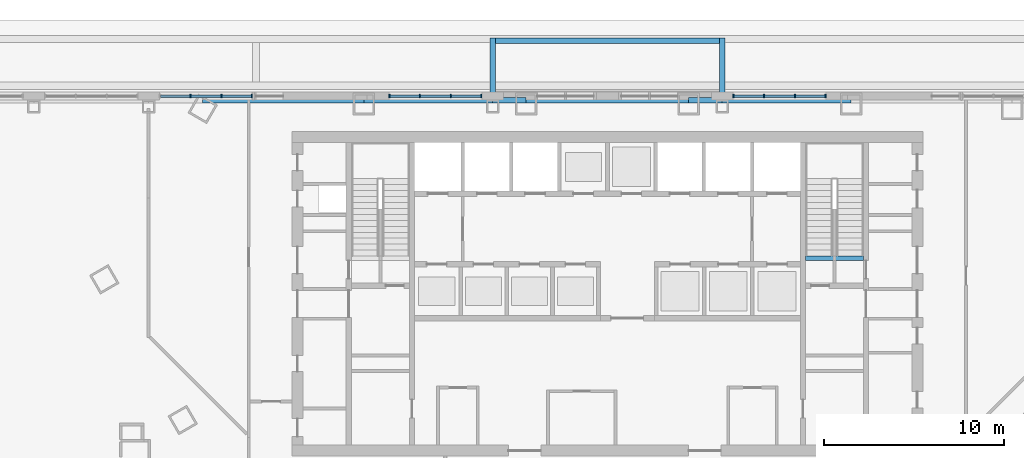
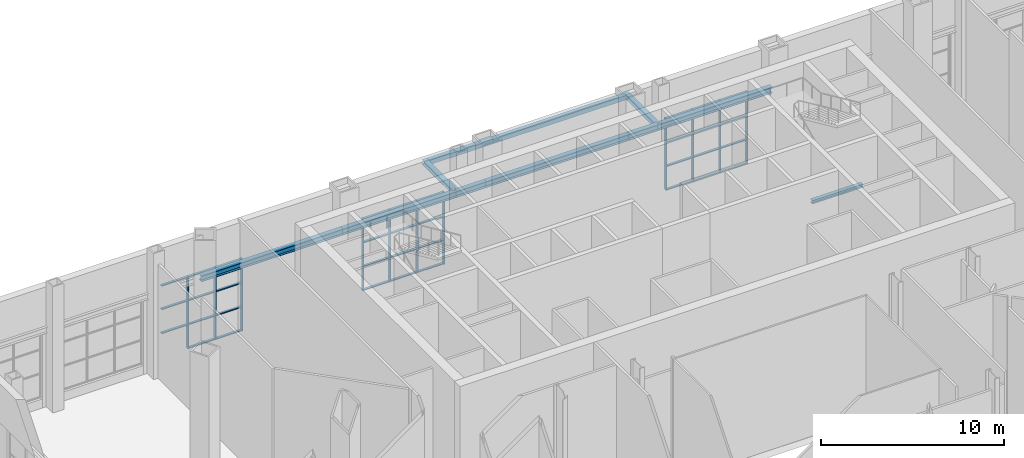
# One storey, part 9 of 34: 46 members, 10 beams, 3 elements without a shape of their own.
"""IFC4 building model written with IfcOpenShell, lengths in metres."""

from ifc_helpers import new_model, si_unit, direction, frame, origin, origin_2d, place, context, subcontext, project, spatial, rectangle, hollow_rectangle, i_section, extrude, material, layer, layer_set, material_profile, profile_set, type_object, element, aggregate, save


model = new_model("IFC4")

# Units and contexts
model_context = context("Model", 3, precision=1e-05, world=origin(), true_north=direction((0.0, 1.0)))
body_context = subcontext(model_context, "Body", "Model", "MODEL_VIEW")
ifc_project = project(units=[si_unit("LENGTHUNIT", "METRE"), si_unit("AREAUNIT", "SQUARE_METRE"), si_unit("VOLUMEUNIT", "CUBIC_METRE"), si_unit("PLANEANGLEUNIT", "RADIAN"), si_unit("MASSUNIT", "GRAM", prefix="KILO")], contexts=[model_context])

# Site, building, storey
site_placement = place(None, origin())
site = spatial("IfcSite", under=ifc_project, at=site_placement, CompositionType="ELEMENT")
building_placement = place(site_placement, origin())
building = spatial("IfcBuilding", under=site, at=building_placement, Name="Njiva Tower", CompositionType="ELEMENT")
storey_placement = place(building_placement, origin())
storey = spatial("IfcBuildingStorey", under=building, at=storey_placement, Name="L00", CompositionType="ELEMENT", Elevation=0.0)

# Beams
ifc_material_1 = material(Name="Steel S355 J2", Category="steel")
ifc_material_profile_1 = material_profile(ifc_material_1, i_section(OverallWidth=0.3, OverallDepth=0.29, WebThickness=0.0085, FlangeThickness=0.014, at=origin_2d()), Name="HEA300")
ifc_profile_set_1 = profile_set([ifc_material_profile_1], Name="Steel S355 J2")
beam_type_1 = type_object("IfcBeamType", Name="B90 Canopy cantilever beam HEA 300", PredefinedType="BEAM", material=ifc_profile_set_1)
for number, where, z_axis, x_axis, name in (
    (1, (6.3667, 19.75, 5.255), (0.0, 1.0, 0.0), (-1.0, 0.0, 0.0), "Canopy beam"),
    (2, (-6.3667, 19.75, 5.255), (0.0, 1.0, 0.0), (-1.0, 0.0, 0.0), "Canopy beam"),
):
    element("IfcBeam", number, at=place(storey_placement, frame(where, z_axis=z_axis, x_axis=x_axis)), inside=storey, type_object=beam_type_1, Name=name, PredefinedType="BEAM", context=body_context, shape_type="SweptSolid", body=[
        extrude(i_section(OverallWidth=0.3, OverallDepth=0.29, WebThickness=0.0085, FlangeThickness=0.014, at=origin_2d()), origin(), (0.0, 0.0, 1.0), 3.45),
    ])
ifc_material_2 = material(Name="Steel S355 J2H", Category="steel")
ifc_material_profile_2 = material_profile(ifc_material_2, hollow_rectangle(XDim=0.3, YDim=0.29, WallThickness=0.01, at=origin_2d()), Name="BOX 290x300x10")
ifc_profile_set_2 = profile_set([ifc_material_profile_2], Name="Steel S355 J2H")
beam_type_2 = type_object("IfcBeamType", Name="B91 Canopy tip beam RHS 290x300x10", PredefinedType="BEAM", material=ifc_profile_set_2)
beam_1_placement = place(storey_placement, frame((6.3667, 23.05, 5.255), z_axis=(-1.0, 0.0, 0.0), x_axis=(0.0, -1.0, 0.0)))
element("IfcBeam", 3, at=beam_1_placement, inside=storey, type_object=beam_type_2, Name="Canopy tip beam", PredefinedType="BEAM", context=body_context, shape_type="SweptSolid", body=[
    extrude(hollow_rectangle(XDim=0.3, YDim=0.29, WallThickness=0.01, at=origin_2d()), origin(), (0.0, 0.0, 1.0), 12.7334),
])
ifc_material_profile_3 = material_profile(ifc_material_1, i_section(OverallWidth=0.3, OverallDepth=0.4, WebThickness=0.0135, FlangeThickness=0.024, at=origin_2d()), Name="HEB400")
ifc_profile_set_3 = profile_set([ifc_material_profile_3], Name="Steel S355 J2")
beam_type_3 = type_object("IfcBeamType", Name="B92 Podium lintel beam HEB 400", PredefinedType="BEAM", material=ifc_profile_set_3)
beam_2_placement = place(storey_placement, frame((13.523, 19.75, 5.2), z_axis=(-1.0, 0.0, 0.0), x_axis=(0.0, -1.0, 0.0)))
element("IfcBeam", 4, at=beam_2_placement, inside=storey, type_object=beam_type_3, Name="Podium lintel beam", PredefinedType="BEAM", context=body_context, shape_type="SweptSolid", body=[
    extrude(i_section(OverallWidth=0.3, OverallDepth=0.4, WebThickness=0.0135, FlangeThickness=0.024, at=origin_2d()), origin(), (0.0, 0.0, 1.0), 7.156),
])
beam_3_placement = place(storey_placement, frame((6.367, 19.75, 5.2), z_axis=(-1.0, 0.0, 0.0), x_axis=(0.0, -1.0, 0.0)))
element("IfcBeam", 5, at=beam_3_placement, inside=storey, type_object=beam_type_3, Name="Podium lintel beam", PredefinedType="BEAM", context=body_context, shape_type="SweptSolid", body=[
    extrude(i_section(OverallWidth=0.3, OverallDepth=0.4, WebThickness=0.0135, FlangeThickness=0.024, at=origin_2d()), origin(), (0.0, 0.0, 1.0), 1.859),
])
beam_4_placement = place(storey_placement, frame((4.508, 19.75, 5.2), z_axis=(-1.0, 0.0, 0.0), x_axis=(0.0, -1.0, 0.0)))
element("IfcBeam", 6, at=beam_4_placement, inside=storey, type_object=beam_type_3, Name="Podium lintel beam", PredefinedType="BEAM", context=body_context, shape_type="SweptSolid", body=[
    extrude(i_section(OverallWidth=0.3, OverallDepth=0.4, WebThickness=0.0135, FlangeThickness=0.024, at=origin_2d()), origin(), (0.0, 0.0, 1.0), 9.016),
])
beam_5_placement = place(storey_placement, frame((-4.508, 19.75, 5.2), z_axis=(-1.0, 0.0, 0.0), x_axis=(0.0, -1.0, 0.0)))
element("IfcBeam", 7, at=beam_5_placement, inside=storey, type_object=beam_type_3, Name="Podium lintel beam", PredefinedType="BEAM", context=body_context, shape_type="SweptSolid", body=[
    extrude(i_section(OverallWidth=0.3, OverallDepth=0.4, WebThickness=0.0135, FlangeThickness=0.024, at=origin_2d()), origin(), (0.0, 0.0, 1.0), 1.859),
])
beam_6_placement = place(storey_placement, frame((-6.367, 19.75, 5.2), z_axis=(-1.0, 0.0, 0.0), x_axis=(0.0, -1.0, 0.0)))
element("IfcBeam", 8, at=beam_6_placement, inside=storey, type_object=beam_type_3, Name="Podium lintel beam", PredefinedType="BEAM", context=body_context, shape_type="SweptSolid", body=[
    extrude(i_section(OverallWidth=0.3, OverallDepth=0.4, WebThickness=0.0135, FlangeThickness=0.024, at=origin_2d()), origin(), (0.0, 0.0, 1.0), 7.156),
])
beam_7_placement = place(storey_placement, frame((-13.523, 19.75, 5.2), z_axis=(-1.0, 0.0, 0.0), x_axis=(0.0, -1.0, 0.0)))
element("IfcBeam", 9, at=beam_7_placement, inside=storey, type_object=beam_type_3, Name="Podium lintel beam", PredefinedType="BEAM", context=body_context, shape_type="SweptSolid", body=[
    extrude(i_section(OverallWidth=0.3, OverallDepth=0.4, WebThickness=0.0135, FlangeThickness=0.024, at=origin_2d()), origin(), (0.0, 0.0, 1.0), 8.938),
])

# Curtain wall, members
ifc_material_3 = material(Name="Glazed curtain wall", Category="glass")
ifc_layer = layer(ifc_material_3, 0.2)
ifc_layer_set = layer_set([ifc_layer], Name="Glazed curtain wall")
curtain_wall_type = type_object("IfcCurtainWallType", Name="CW1 Shopfront glazing", PredefinedType="NOTDEFINED", material=ifc_layer_set)
curtain_wall_1_placement = place(storey_placement, origin())
curtain_wall_1 = element("IfcCurtainWall", 10, at=curtain_wall_1_placement, inside=storey, type_object=curtain_wall_type, Name="Shopfront N5", PredefinedType="NOTDEFINED")
ifc_material_4 = material(Name="Aluminium mullion", Category="aluminium")
ifc_material_profile_4 = material_profile(ifc_material_4, rectangle(XDim=0.2, YDim=0.065, at=origin_2d()), Name="RECT 200x65")
ifc_profile_set_4 = profile_set([ifc_material_profile_4], Name="Aluminium mullion")
member_type_1 = type_object("IfcMemberType", Name="CW1-M Shopfront mullion 200x65", PredefinedType="MULLION", material=ifc_profile_set_4)
member_1_placement = place(storey_placement, frame((12.1008, 19.975, 0.6), z_axis=(0.0, 0.0, 1.0), x_axis=(0.0, -1.0, 0.0)))
member_1 = element("IfcMember", 11, at=member_1_placement, type_object=member_type_1, Name="CW1-N5 mullion 1", PredefinedType="MULLION", context=body_context, shape_type="SweptSolid", body=[
    extrude(rectangle(XDim=0.2, YDim=0.065, at=origin_2d()), origin(), (0.0, 0.0, 1.0), 4.8),
])
member_2_placement = place(storey_placement, frame((10.4111, 19.975, 0.6), z_axis=(0.0, 0.0, 1.0), x_axis=(0.0, -1.0, 0.0)))
member_2 = element("IfcMember", 12, at=member_2_placement, type_object=member_type_1, Name="CW1-N5 mullion 2", PredefinedType="MULLION", context=body_context, shape_type="SweptSolid", body=[
    extrude(rectangle(XDim=0.2, YDim=0.065, at=origin_2d()), origin(), (0.0, 0.0, 1.0), 4.8),
])
member_3_placement = place(storey_placement, frame((8.6889, 19.975, 0.6), z_axis=(0.0, 0.0, 1.0), x_axis=(0.0, -1.0, 0.0)))
member_3 = element("IfcMember", 13, at=member_3_placement, type_object=member_type_1, Name="CW1-N5 mullion 3", PredefinedType="MULLION", context=body_context, shape_type="SweptSolid", body=[
    extrude(rectangle(XDim=0.2, YDim=0.065, at=origin_2d()), origin(), (0.0, 0.0, 1.0), 4.8),
])
member_4_placement = place(storey_placement, frame((6.9992, 19.975, 0.6), z_axis=(0.0, 0.0, 1.0), x_axis=(0.0, -1.0, 0.0)))
member_4 = element("IfcMember", 14, at=member_4_placement, type_object=member_type_1, Name="CW1-N5 mullion 4", PredefinedType="MULLION", context=body_context, shape_type="SweptSolid", body=[
    extrude(rectangle(XDim=0.2, YDim=0.065, at=origin_2d()), origin(), (0.0, 0.0, 1.0), 4.8),
])

curtain_wall_2_placement = place(storey_placement, origin())
curtain_wall_2 = element("IfcCurtainWall", 15, at=curtain_wall_2_placement, inside=storey, type_object=curtain_wall_type, Name="Shopfront N8", PredefinedType="NOTDEFINED")
member_5_placement = place(storey_placement, frame((-6.9992, 19.975, 0.6), z_axis=(0.0, 0.0, 1.0), x_axis=(0.0, -1.0, 0.0)))
member_5 = element("IfcMember", 16, at=member_5_placement, type_object=member_type_1, Name="CW1-N8 mullion 1", PredefinedType="MULLION", context=body_context, shape_type="SweptSolid", body=[
    extrude(rectangle(XDim=0.2, YDim=0.065, at=origin_2d()), origin(), (0.0, 0.0, 1.0), 4.8),
])
member_6_placement = place(storey_placement, frame((-8.6889, 19.975, 0.6), z_axis=(0.0, 0.0, 1.0), x_axis=(0.0, -1.0, 0.0)))
member_6 = element("IfcMember", 17, at=member_6_placement, type_object=member_type_1, Name="CW1-N8 mullion 2", PredefinedType="MULLION", context=body_context, shape_type="SweptSolid", body=[
    extrude(rectangle(XDim=0.2, YDim=0.065, at=origin_2d()), origin(), (0.0, 0.0, 1.0), 4.8),
])
member_7_placement = place(storey_placement, frame((-10.4111, 19.975, 0.6), z_axis=(0.0, 0.0, 1.0), x_axis=(0.0, -1.0, 0.0)))
member_7 = element("IfcMember", 18, at=member_7_placement, type_object=member_type_1, Name="CW1-N8 mullion 3", PredefinedType="MULLION", context=body_context, shape_type="SweptSolid", body=[
    extrude(rectangle(XDim=0.2, YDim=0.065, at=origin_2d()), origin(), (0.0, 0.0, 1.0), 4.8),
])
member_8_placement = place(storey_placement, frame((-12.1008, 19.975, 0.6), z_axis=(0.0, 0.0, 1.0), x_axis=(0.0, -1.0, 0.0)))
member_8 = element("IfcMember", 19, at=member_8_placement, type_object=member_type_1, Name="CW1-N8 mullion 4", PredefinedType="MULLION", context=body_context, shape_type="SweptSolid", body=[
    extrude(rectangle(XDim=0.2, YDim=0.065, at=origin_2d()), origin(), (0.0, 0.0, 1.0), 4.8),
])

curtain_wall_3_placement = place(storey_placement, origin())
curtain_wall_3 = element("IfcCurtainWall", 20, at=curtain_wall_3_placement, inside=storey, type_object=curtain_wall_type, Name="Shopfront N10", PredefinedType="NOTDEFINED")
member_9_placement = place(storey_placement, frame((-19.7325, 19.975, 0.6), z_axis=(0.0, 0.0, 1.0), x_axis=(0.0, -1.0, 0.0)))
member_9 = element("IfcMember", 21, at=member_9_placement, type_object=member_type_1, Name="CW1-N10 mullion 1", PredefinedType="MULLION", context=body_context, shape_type="SweptSolid", body=[
    extrude(rectangle(XDim=0.2, YDim=0.065, at=origin_2d()), origin(), (0.0, 0.0, 1.0), 4.8),
])
member_10_placement = place(storey_placement, frame((-21.4222, 19.975, 0.6), z_axis=(0.0, 0.0, 1.0), x_axis=(0.0, -1.0, 0.0)))
member_10 = element("IfcMember", 22, at=member_10_placement, type_object=member_type_1, Name="CW1-N10 mullion 2", PredefinedType="MULLION", context=body_context, shape_type="SweptSolid", body=[
    extrude(rectangle(XDim=0.2, YDim=0.065, at=origin_2d()), origin(), (0.0, 0.0, 1.0), 4.8),
])
member_11_placement = place(storey_placement, frame((-23.1445, 19.975, 0.6), z_axis=(0.0, 0.0, 1.0), x_axis=(0.0, -1.0, 0.0)))
member_11 = element("IfcMember", 23, at=member_11_placement, type_object=member_type_1, Name="CW1-N10 mullion 3", PredefinedType="MULLION", context=body_context, shape_type="SweptSolid", body=[
    extrude(rectangle(XDim=0.2, YDim=0.065, at=origin_2d()), origin(), (0.0, 0.0, 1.0), 4.8),
])

# Member
ifc_material_5 = material(Name="Aluminium transom", Category="aluminium")
ifc_material_profile_5 = material_profile(ifc_material_5, rectangle(XDim=0.15, YDim=0.065, at=origin_2d()), Name="RECT 150x65")
ifc_profile_set_5 = profile_set([ifc_material_profile_5], Name="Aluminium transom")
member_type_2 = type_object("IfcMemberType", Name="CW1-T Shopfront transom 150x65", PredefinedType="USERDEFINED", material=ifc_profile_set_5)
member_12_placement = place(storey_placement, frame((12.0683, 19.975, 0.6325), z_axis=(-1.0, 0.0, 0.0), x_axis=(0.0, -1.0, 0.0)))
member_12 = element("IfcMember", 24, at=member_12_placement, type_object=member_type_2, Name="CW1-N5 transom 1.1", ObjectType="TRANSOM", PredefinedType="USERDEFINED", context=body_context, shape_type="SweptSolid", body=[
    extrude(rectangle(XDim=0.15, YDim=0.065, at=origin_2d()), origin(), (0.0, 0.0, 1.0), 1.6247),
])

member_13_placement = place(storey_placement, frame((12.0683, 19.975, 2.2), z_axis=(-1.0, 0.0, 0.0), x_axis=(0.0, -1.0, 0.0)))
member_13 = element("IfcMember", 25, at=member_13_placement, type_object=member_type_2, Name="CW1-N5 transom 1.2", ObjectType="TRANSOM", PredefinedType="USERDEFINED", context=body_context, shape_type="SweptSolid", body=[
    extrude(rectangle(XDim=0.15, YDim=0.065, at=origin_2d()), origin(), (0.0, 0.0, 1.0), 1.6247),
])

member_14_placement = place(storey_placement, frame((12.0683, 19.975, 3.8), z_axis=(-1.0, 0.0, 0.0), x_axis=(0.0, -1.0, 0.0)))
member_14 = element("IfcMember", 26, at=member_14_placement, type_object=member_type_2, Name="CW1-N5 transom 1.3", ObjectType="TRANSOM", PredefinedType="USERDEFINED", context=body_context, shape_type="SweptSolid", body=[
    extrude(rectangle(XDim=0.15, YDim=0.065, at=origin_2d()), origin(), (0.0, 0.0, 1.0), 1.6247),
])

member_15_placement = place(storey_placement, frame((12.0683, 19.975, 5.3675), z_axis=(-1.0, 0.0, 0.0), x_axis=(0.0, -1.0, 0.0)))
member_15 = element("IfcMember", 27, at=member_15_placement, type_object=member_type_2, Name="CW1-N5 transom 1.4", ObjectType="TRANSOM", PredefinedType="USERDEFINED", context=body_context, shape_type="SweptSolid", body=[
    extrude(rectangle(XDim=0.15, YDim=0.065, at=origin_2d()), origin(), (0.0, 0.0, 1.0), 1.6247),
])

member_16_placement = place(storey_placement, frame((10.3786, 19.975, 0.6325), z_axis=(-1.0, 0.0, 0.0), x_axis=(0.0, -1.0, 0.0)))
member_16 = element("IfcMember", 28, at=member_16_placement, type_object=member_type_2, Name="CW1-N5 transom 2.1", ObjectType="TRANSOM", PredefinedType="USERDEFINED", context=body_context, shape_type="SweptSolid", body=[
    extrude(rectangle(XDim=0.15, YDim=0.065, at=origin_2d()), origin(), (0.0, 0.0, 1.0), 1.6572),
])

member_17_placement = place(storey_placement, frame((10.3786, 19.975, 2.2), z_axis=(-1.0, 0.0, 0.0), x_axis=(0.0, -1.0, 0.0)))
member_17 = element("IfcMember", 29, at=member_17_placement, type_object=member_type_2, Name="CW1-N5 transom 2.2", ObjectType="TRANSOM", PredefinedType="USERDEFINED", context=body_context, shape_type="SweptSolid", body=[
    extrude(rectangle(XDim=0.15, YDim=0.065, at=origin_2d()), origin(), (0.0, 0.0, 1.0), 1.6572),
])

member_18_placement = place(storey_placement, frame((10.3786, 19.975, 3.8), z_axis=(-1.0, 0.0, 0.0), x_axis=(0.0, -1.0, 0.0)))
member_18 = element("IfcMember", 30, at=member_18_placement, type_object=member_type_2, Name="CW1-N5 transom 2.3", ObjectType="TRANSOM", PredefinedType="USERDEFINED", context=body_context, shape_type="SweptSolid", body=[
    extrude(rectangle(XDim=0.15, YDim=0.065, at=origin_2d()), origin(), (0.0, 0.0, 1.0), 1.6572),
])

member_19_placement = place(storey_placement, frame((10.3786, 19.975, 5.3675), z_axis=(-1.0, 0.0, 0.0), x_axis=(0.0, -1.0, 0.0)))
member_19 = element("IfcMember", 31, at=member_19_placement, type_object=member_type_2, Name="CW1-N5 transom 2.4", ObjectType="TRANSOM", PredefinedType="USERDEFINED", context=body_context, shape_type="SweptSolid", body=[
    extrude(rectangle(XDim=0.15, YDim=0.065, at=origin_2d()), origin(), (0.0, 0.0, 1.0), 1.6572),
])

member_20_placement = place(storey_placement, frame((8.6564, 19.975, 0.6325), z_axis=(-1.0, 0.0, 0.0), x_axis=(0.0, -1.0, 0.0)))
member_20 = element("IfcMember", 32, at=member_20_placement, type_object=member_type_2, Name="CW1-N5 transom 3.1", ObjectType="TRANSOM", PredefinedType="USERDEFINED", context=body_context, shape_type="SweptSolid", body=[
    extrude(rectangle(XDim=0.15, YDim=0.065, at=origin_2d()), origin(), (0.0, 0.0, 1.0), 1.6247),
])

member_21_placement = place(storey_placement, frame((8.6564, 19.975, 2.2), z_axis=(-1.0, 0.0, 0.0), x_axis=(0.0, -1.0, 0.0)))
member_21 = element("IfcMember", 33, at=member_21_placement, type_object=member_type_2, Name="CW1-N5 transom 3.2", ObjectType="TRANSOM", PredefinedType="USERDEFINED", context=body_context, shape_type="SweptSolid", body=[
    extrude(rectangle(XDim=0.15, YDim=0.065, at=origin_2d()), origin(), (0.0, 0.0, 1.0), 1.6247),
])

member_22_placement = place(storey_placement, frame((8.6564, 19.975, 3.8), z_axis=(-1.0, 0.0, 0.0), x_axis=(0.0, -1.0, 0.0)))
member_22 = element("IfcMember", 34, at=member_22_placement, type_object=member_type_2, Name="CW1-N5 transom 3.3", ObjectType="TRANSOM", PredefinedType="USERDEFINED", context=body_context, shape_type="SweptSolid", body=[
    extrude(rectangle(XDim=0.15, YDim=0.065, at=origin_2d()), origin(), (0.0, 0.0, 1.0), 1.6247),
])

member_23_placement = place(storey_placement, frame((8.6564, 19.975, 5.3675), z_axis=(-1.0, 0.0, 0.0), x_axis=(0.0, -1.0, 0.0)))
member_23 = element("IfcMember", 35, at=member_23_placement, type_object=member_type_2, Name="CW1-N5 transom 3.4", ObjectType="TRANSOM", PredefinedType="USERDEFINED", context=body_context, shape_type="SweptSolid", body=[
    extrude(rectangle(XDim=0.15, YDim=0.065, at=origin_2d()), origin(), (0.0, 0.0, 1.0), 1.6247),
])

aggregate(curtain_wall_1, [member_1, member_2, member_3, member_4, member_12, member_13, member_14, member_15, member_16, member_17, member_18, member_19, member_20, member_21, member_22, member_23])

member_24_placement = place(storey_placement, frame((-7.0317, 19.975, 0.6325), z_axis=(-1.0, 0.0, 0.0), x_axis=(0.0, -1.0, 0.0)))
member_24 = element("IfcMember", 36, at=member_24_placement, type_object=member_type_2, Name="CW1-N8 transom 1.1", ObjectType="TRANSOM", PredefinedType="USERDEFINED", context=body_context, shape_type="SweptSolid", body=[
    extrude(rectangle(XDim=0.15, YDim=0.065, at=origin_2d()), origin(), (0.0, 0.0, 1.0), 1.6247),
])

member_25_placement = place(storey_placement, frame((-7.0317, 19.975, 2.2), z_axis=(-1.0, 0.0, 0.0), x_axis=(0.0, -1.0, 0.0)))
member_25 = element("IfcMember", 37, at=member_25_placement, type_object=member_type_2, Name="CW1-N8 transom 1.2", ObjectType="TRANSOM", PredefinedType="USERDEFINED", context=body_context, shape_type="SweptSolid", body=[
    extrude(rectangle(XDim=0.15, YDim=0.065, at=origin_2d()), origin(), (0.0, 0.0, 1.0), 1.6247),
])

member_26_placement = place(storey_placement, frame((-7.0317, 19.975, 3.8), z_axis=(-1.0, 0.0, 0.0), x_axis=(0.0, -1.0, 0.0)))
member_26 = element("IfcMember", 38, at=member_26_placement, type_object=member_type_2, Name="CW1-N8 transom 1.3", ObjectType="TRANSOM", PredefinedType="USERDEFINED", context=body_context, shape_type="SweptSolid", body=[
    extrude(rectangle(XDim=0.15, YDim=0.065, at=origin_2d()), origin(), (0.0, 0.0, 1.0), 1.6247),
])

member_27_placement = place(storey_placement, frame((-7.0317, 19.975, 5.3675), z_axis=(-1.0, 0.0, 0.0), x_axis=(0.0, -1.0, 0.0)))
member_27 = element("IfcMember", 39, at=member_27_placement, type_object=member_type_2, Name="CW1-N8 transom 1.4", ObjectType="TRANSOM", PredefinedType="USERDEFINED", context=body_context, shape_type="SweptSolid", body=[
    extrude(rectangle(XDim=0.15, YDim=0.065, at=origin_2d()), origin(), (0.0, 0.0, 1.0), 1.6247),
])

member_28_placement = place(storey_placement, frame((-8.7214, 19.975, 0.6325), z_axis=(-1.0, 0.0, 0.0), x_axis=(0.0, -1.0, 0.0)))
member_28 = element("IfcMember", 40, at=member_28_placement, type_object=member_type_2, Name="CW1-N8 transom 2.1", ObjectType="TRANSOM", PredefinedType="USERDEFINED", context=body_context, shape_type="SweptSolid", body=[
    extrude(rectangle(XDim=0.15, YDim=0.065, at=origin_2d()), origin(), (0.0, 0.0, 1.0), 1.6572),
])

member_29_placement = place(storey_placement, frame((-8.7214, 19.975, 2.2), z_axis=(-1.0, 0.0, 0.0), x_axis=(0.0, -1.0, 0.0)))
member_29 = element("IfcMember", 41, at=member_29_placement, type_object=member_type_2, Name="CW1-N8 transom 2.2", ObjectType="TRANSOM", PredefinedType="USERDEFINED", context=body_context, shape_type="SweptSolid", body=[
    extrude(rectangle(XDim=0.15, YDim=0.065, at=origin_2d()), origin(), (0.0, 0.0, 1.0), 1.6572),
])

member_30_placement = place(storey_placement, frame((-8.7214, 19.975, 3.8), z_axis=(-1.0, 0.0, 0.0), x_axis=(0.0, -1.0, 0.0)))
member_30 = element("IfcMember", 42, at=member_30_placement, type_object=member_type_2, Name="CW1-N8 transom 2.3", ObjectType="TRANSOM", PredefinedType="USERDEFINED", context=body_context, shape_type="SweptSolid", body=[
    extrude(rectangle(XDim=0.15, YDim=0.065, at=origin_2d()), origin(), (0.0, 0.0, 1.0), 1.6572),
])

member_31_placement = place(storey_placement, frame((-8.7214, 19.975, 5.3675), z_axis=(-1.0, 0.0, 0.0), x_axis=(0.0, -1.0, 0.0)))
member_31 = element("IfcMember", 43, at=member_31_placement, type_object=member_type_2, Name="CW1-N8 transom 2.4", ObjectType="TRANSOM", PredefinedType="USERDEFINED", context=body_context, shape_type="SweptSolid", body=[
    extrude(rectangle(XDim=0.15, YDim=0.065, at=origin_2d()), origin(), (0.0, 0.0, 1.0), 1.6572),
])

member_32_placement = place(storey_placement, frame((-10.4436, 19.975, 0.6325), z_axis=(-1.0, 0.0, 0.0), x_axis=(0.0, -1.0, 0.0)))
member_32 = element("IfcMember", 44, at=member_32_placement, type_object=member_type_2, Name="CW1-N8 transom 3.1", ObjectType="TRANSOM", PredefinedType="USERDEFINED", context=body_context, shape_type="SweptSolid", body=[
    extrude(rectangle(XDim=0.15, YDim=0.065, at=origin_2d()), origin(), (0.0, 0.0, 1.0), 1.6247),
])

member_33_placement = place(storey_placement, frame((-10.4436, 19.975, 2.2), z_axis=(-1.0, 0.0, 0.0), x_axis=(0.0, -1.0, 0.0)))
member_33 = element("IfcMember", 45, at=member_33_placement, type_object=member_type_2, Name="CW1-N8 transom 3.2", ObjectType="TRANSOM", PredefinedType="USERDEFINED", context=body_context, shape_type="SweptSolid", body=[
    extrude(rectangle(XDim=0.15, YDim=0.065, at=origin_2d()), origin(), (0.0, 0.0, 1.0), 1.6247),
])

member_34_placement = place(storey_placement, frame((-10.4436, 19.975, 3.8), z_axis=(-1.0, 0.0, 0.0), x_axis=(0.0, -1.0, 0.0)))
member_34 = element("IfcMember", 46, at=member_34_placement, type_object=member_type_2, Name="CW1-N8 transom 3.3", ObjectType="TRANSOM", PredefinedType="USERDEFINED", context=body_context, shape_type="SweptSolid", body=[
    extrude(rectangle(XDim=0.15, YDim=0.065, at=origin_2d()), origin(), (0.0, 0.0, 1.0), 1.6247),
])

member_35_placement = place(storey_placement, frame((-10.4436, 19.975, 5.3675), z_axis=(-1.0, 0.0, 0.0), x_axis=(0.0, -1.0, 0.0)))
member_35 = element("IfcMember", 47, at=member_35_placement, type_object=member_type_2, Name="CW1-N8 transom 3.4", ObjectType="TRANSOM", PredefinedType="USERDEFINED", context=body_context, shape_type="SweptSolid", body=[
    extrude(rectangle(XDim=0.15, YDim=0.065, at=origin_2d()), origin(), (0.0, 0.0, 1.0), 1.6247),
])

aggregate(curtain_wall_2, [member_5, member_6, member_7, member_8, member_24, member_25, member_26, member_27, member_28, member_29, member_30, member_31, member_32, member_33, member_34, member_35])

member_36_placement = place(storey_placement, frame((-19.765, 19.975, 0.6325), z_axis=(-1.0, 0.0, 0.0), x_axis=(0.0, -1.0, 0.0)))
member_36 = element("IfcMember", 48, at=member_36_placement, type_object=member_type_2, Name="CW1-N10 transom 1.1", ObjectType="TRANSOM", PredefinedType="USERDEFINED", context=body_context, shape_type="SweptSolid", body=[
    extrude(rectangle(XDim=0.15, YDim=0.065, at=origin_2d()), origin(), (0.0, 0.0, 1.0), 1.6247),
])

member_37_placement = place(storey_placement, frame((-19.765, 19.975, 2.2), z_axis=(-1.0, 0.0, 0.0), x_axis=(0.0, -1.0, 0.0)))
member_37 = element("IfcMember", 49, at=member_37_placement, type_object=member_type_2, Name="CW1-N10 transom 1.2", ObjectType="TRANSOM", PredefinedType="USERDEFINED", context=body_context, shape_type="SweptSolid", body=[
    extrude(rectangle(XDim=0.15, YDim=0.065, at=origin_2d()), origin(), (0.0, 0.0, 1.0), 1.6247),
])

member_38_placement = place(storey_placement, frame((-19.765, 19.975, 3.8), z_axis=(-1.0, 0.0, 0.0), x_axis=(0.0, -1.0, 0.0)))
member_38 = element("IfcMember", 50, at=member_38_placement, type_object=member_type_2, Name="CW1-N10 transom 1.3", ObjectType="TRANSOM", PredefinedType="USERDEFINED", context=body_context, shape_type="SweptSolid", body=[
    extrude(rectangle(XDim=0.15, YDim=0.065, at=origin_2d()), origin(), (0.0, 0.0, 1.0), 1.6247),
])

member_39_placement = place(storey_placement, frame((-19.765, 19.975, 5.3675), z_axis=(-1.0, 0.0, 0.0), x_axis=(0.0, -1.0, 0.0)))
member_39 = element("IfcMember", 51, at=member_39_placement, type_object=member_type_2, Name="CW1-N10 transom 1.4", ObjectType="TRANSOM", PredefinedType="USERDEFINED", context=body_context, shape_type="SweptSolid", body=[
    extrude(rectangle(XDim=0.15, YDim=0.065, at=origin_2d()), origin(), (0.0, 0.0, 1.0), 1.6247),
])

member_40_placement = place(storey_placement, frame((-21.4547, 19.975, 0.6325), z_axis=(-1.0, 0.0, 0.0), x_axis=(0.0, -1.0, 0.0)))
member_40 = element("IfcMember", 52, at=member_40_placement, type_object=member_type_2, Name="CW1-N10 transom 2.1", ObjectType="TRANSOM", PredefinedType="USERDEFINED", context=body_context, shape_type="SweptSolid", body=[
    extrude(rectangle(XDim=0.15, YDim=0.065, at=origin_2d()), origin(), (0.0, 0.0, 1.0), 1.6573),
])

member_41_placement = place(storey_placement, frame((-21.4547, 19.975, 2.2), z_axis=(-1.0, 0.0, 0.0), x_axis=(0.0, -1.0, 0.0)))
member_41 = element("IfcMember", 53, at=member_41_placement, type_object=member_type_2, Name="CW1-N10 transom 2.2", ObjectType="TRANSOM", PredefinedType="USERDEFINED", context=body_context, shape_type="SweptSolid", body=[
    extrude(rectangle(XDim=0.15, YDim=0.065, at=origin_2d()), origin(), (0.0, 0.0, 1.0), 1.6573),
])

member_42_placement = place(storey_placement, frame((-21.4547, 19.975, 3.8), z_axis=(-1.0, 0.0, 0.0), x_axis=(0.0, -1.0, 0.0)))
member_42 = element("IfcMember", 54, at=member_42_placement, type_object=member_type_2, Name="CW1-N10 transom 2.3", ObjectType="TRANSOM", PredefinedType="USERDEFINED", context=body_context, shape_type="SweptSolid", body=[
    extrude(rectangle(XDim=0.15, YDim=0.065, at=origin_2d()), origin(), (0.0, 0.0, 1.0), 1.6573),
])

member_43_placement = place(storey_placement, frame((-21.4547, 19.975, 5.3675), z_axis=(-1.0, 0.0, 0.0), x_axis=(0.0, -1.0, 0.0)))
member_43 = element("IfcMember", 55, at=member_43_placement, type_object=member_type_2, Name="CW1-N10 transom 2.4", ObjectType="TRANSOM", PredefinedType="USERDEFINED", context=body_context, shape_type="SweptSolid", body=[
    extrude(rectangle(XDim=0.15, YDim=0.065, at=origin_2d()), origin(), (0.0, 0.0, 1.0), 1.6573),
])

member_44_placement = place(storey_placement, frame((-23.177, 19.975, 2.2), z_axis=(-1.0, 0.0, 0.0), x_axis=(0.0, -1.0, 0.0)))
member_44 = element("IfcMember", 56, at=member_44_placement, type_object=member_type_2, Name="CW1-N10 transom 3.2", ObjectType="TRANSOM", PredefinedType="USERDEFINED", context=body_context, shape_type="SweptSolid", body=[
    extrude(rectangle(XDim=0.15, YDim=0.065, at=origin_2d()), origin(), (0.0, 0.0, 1.0), 1.6247),
])

member_45_placement = place(storey_placement, frame((-23.177, 19.975, 3.8), z_axis=(-1.0, 0.0, 0.0), x_axis=(0.0, -1.0, 0.0)))
member_45 = element("IfcMember", 57, at=member_45_placement, type_object=member_type_2, Name="CW1-N10 transom 3.3", ObjectType="TRANSOM", PredefinedType="USERDEFINED", context=body_context, shape_type="SweptSolid", body=[
    extrude(rectangle(XDim=0.15, YDim=0.065, at=origin_2d()), origin(), (0.0, 0.0, 1.0), 1.6247),
])

member_46_placement = place(storey_placement, frame((-23.177, 19.975, 5.3675), z_axis=(-1.0, 0.0, 0.0), x_axis=(0.0, -1.0, 0.0)))
member_46 = element("IfcMember", 58, at=member_46_placement, type_object=member_type_2, Name="CW1-N10 transom 3.4", ObjectType="TRANSOM", PredefinedType="USERDEFINED", context=body_context, shape_type="SweptSolid", body=[
    extrude(rectangle(XDim=0.15, YDim=0.065, at=origin_2d()), origin(), (0.0, 0.0, 1.0), 1.6247),
])

aggregate(curtain_wall_3, [member_9, member_10, member_11, member_36, member_37, member_38, member_39, member_40, member_41, member_42, member_43, member_44, member_45, member_46])

# Beam
ifc_material_profile_6 = material_profile(ifc_material_1, i_section(OverallWidth=0.24, OverallDepth=0.23, WebThickness=0.0075, FlangeThickness=0.012, at=origin_2d()), Name="HEA240")
ifc_profile_set_6 = profile_set([ifc_material_profile_6], Name="Steel S355 J2")
beam_type_4 = type_object("IfcBeamType", Name="FL8 Landing beam HEA 240", PredefinedType="BEAM", material=ifc_profile_set_6)
beam_8_placement = place(storey_placement, frame((10.994, 10.98, 3.885), z_axis=(1.0, 0.0, 0.0), x_axis=(0.0, 1.0, 0.0)))
element("IfcBeam", 59, at=beam_8_placement, inside=storey, type_object=beam_type_4, Name="Landing beam", PredefinedType="BEAM", context=body_context, shape_type="SweptSolid", body=[
    extrude(i_section(OverallWidth=0.24, OverallDepth=0.23, WebThickness=0.0075, FlangeThickness=0.012, at=origin_2d()), origin(), (0.0, 0.0, 1.0), 3.212),
])

save(model, "model.ifc")
